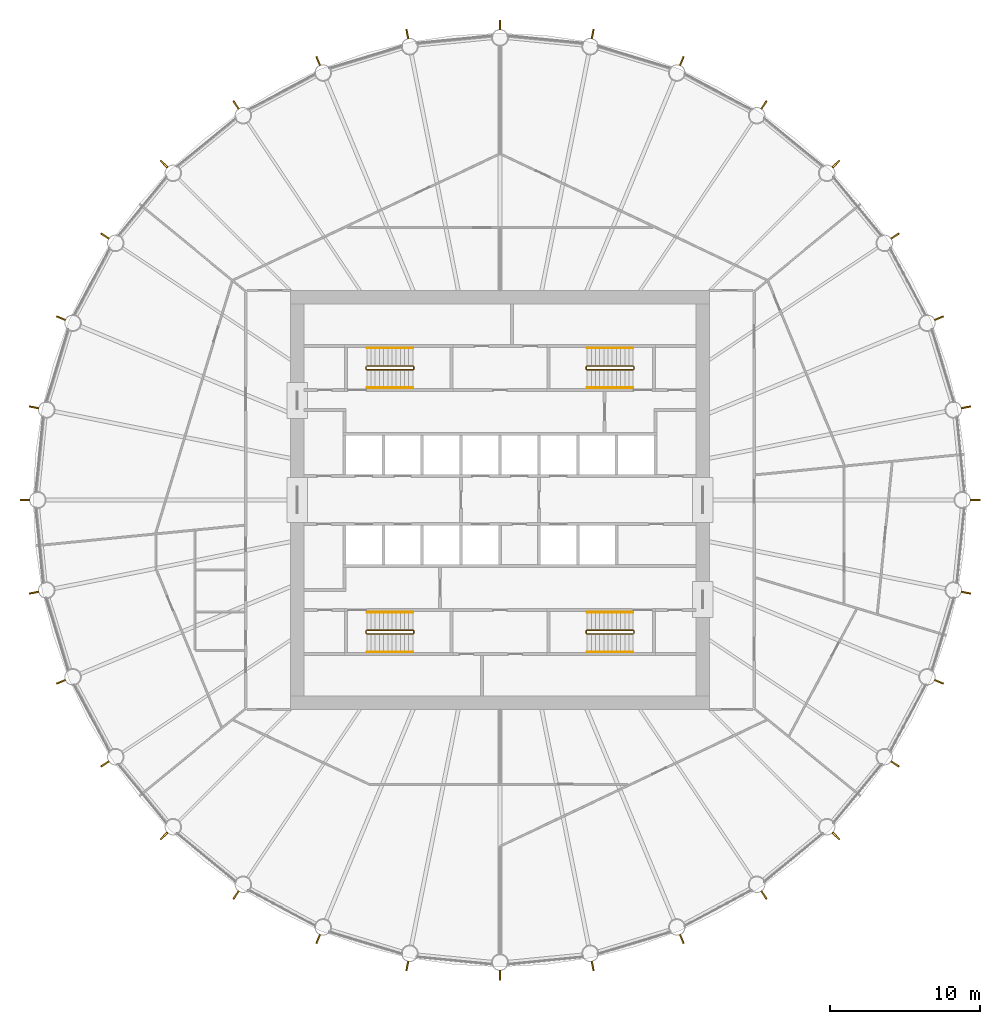
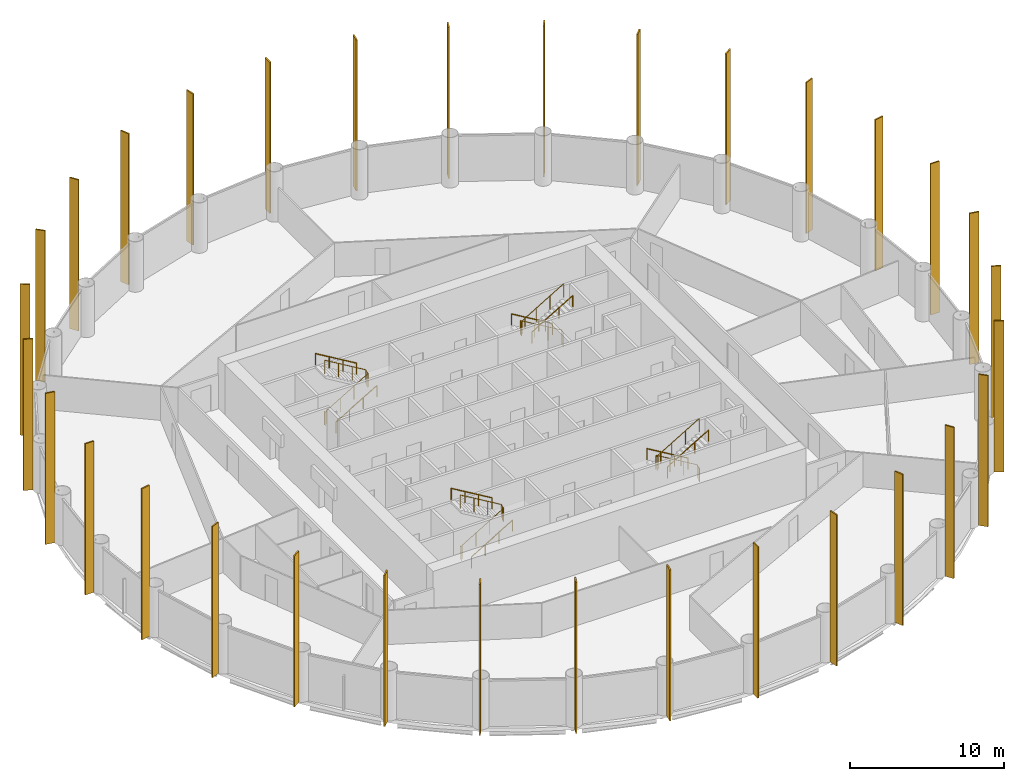
# One storey, part 8 of 8: 32 shading devices, 12 railings.
"""IFC4 building model written with IfcOpenShell, lengths in metres."""

from ifc_helpers import new_model, si_unit, direction, frame, origin, origin_2d, place, context, subcontext, project, spatial, rectangle, circle, extrude, material, material_profile, profile_set, type_object, element, save


model = new_model("IFC4")

# Units and contexts
model_context = context("Model", 3, precision=1e-05, world=origin(), true_north=direction((0.0, 1.0)))
body_context = subcontext(model_context, "Body", "Model", "MODEL_VIEW")
ifc_project = project(units=[si_unit("LENGTHUNIT", "METRE"), si_unit("AREAUNIT", "SQUARE_METRE"), si_unit("VOLUMEUNIT", "CUBIC_METRE"), si_unit("PLANEANGLEUNIT", "RADIAN"), si_unit("MASSUNIT", "GRAM", prefix="KILO")], contexts=[model_context])

# Site, building, storey
site_placement = place(None, origin())
site = spatial("IfcSite", under=ifc_project, at=site_placement, CompositionType="ELEMENT")
building_placement = place(site_placement, origin())
building = spatial("IfcBuilding", under=site, at=building_placement, Name="Corvane Civic Tower", CompositionType="ELEMENT")
storey_placement = place(building_placement, frame((0.0, 0.0, 176.0)))
storey = spatial("IfcBuildingStorey", under=building, at=storey_placement, Name="L41", CompositionType="ELEMENT", Elevation=176.0)

# Railings
ifc_material_1 = material(Name="Steel ASTM A572 Gr 50", Category="steel")
railing_type_1 = type_object("IfcRailingType", Name="ST-GUARD-1100", PredefinedType="GUARDRAIL", material=ifc_material_1)
railing_1_placement = place(storey_placement, frame((8.949951171875, 8.75, 0.0)))
element("IfcRailing", 1, at=railing_1_placement, inside=storey, type_object=railing_type_1, Name="L41 ST1 stair guard 1", PredefinedType="GUARDRAIL", context=body_context, shape_type="SweptSolid", body=[
    extrude(circle(Radius=0.02392578125, at=origin_2d()), frame((0.0, 0.0, 1.076171875), z_axis=(0.0, 1.0, 0.0), x_axis=(-1.0, 0.0, 0.0)), (0.0, 0.0, 1.0), 0.14990234375),
    extrude(circle(Radius=0.02392578125, at=origin_2d()), frame((0.0, 0.14990234375, 1.076171875), z_axis=(-0.27628659633, 0.27628659633, 0.920506074601), x_axis=(-0.707106781187, -0.707106781187, 0.0)), (0.0, 0.0, 1.0), 0.18115234375),
    extrude(circle(Radius=0.02392578125, at=origin_2d()), frame((-0.050048828125, 0.199951171875, 1.24267578125), z_axis=(-0.859290745958, 0.0, 0.51148745235), x_axis=(0.0, -1.0, 0.0)), (0.0, 0.0, 1.0), 3.584228515625),
    extrude(circle(Radius=0.02392578125, at=origin_2d()), frame((-3.1298828125, 0.199951171875, 3.076171875), z_axis=(-0.707106781187, -0.707106781187, 0.0), x_axis=(0.707106781187, -0.707106781187, 0.0)), (0.0, 0.0, 1.0), 0.07080078125),
    extrude(circle(Radius=0.02392578125, at=origin_2d()), frame((-3.179931640625, 0.14990234375, 3.076171875), z_axis=(0.0, -1.0, 0.0), x_axis=(1.0, 0.0, 0.0)), (0.0, 0.0, 1.0), 0.14990234375),
    extrude(circle(Radius=0.02392578125, at=origin_2d()), frame((-3.179931640625, 0.0, 3.076171875), z_axis=(0.27628659633, -0.27628659633, 0.920506074601), x_axis=(0.707106781187, 0.707106781187, 0.0)), (0.0, 0.0, 1.0), 0.18115234375),
    extrude(circle(Radius=0.02392578125, at=origin_2d()), frame((-3.1298828125, -0.050048828125, 3.24267578125), z_axis=(0.859290745958, 0.0, 0.51148745235), x_axis=(0.0, 1.0, 0.0)), (0.0, 0.0, 1.0), 3.584228515625),
    extrude(circle(Radius=0.02099609375, at=origin_2d()), origin(), (0.0, 0.0, 1.0), 1.052001953125),
    extrude(circle(Radius=0.02099609375, at=origin_2d()), frame((0.0, 0.14990234375, 0.0)), (0.0, 0.0, 1.0), 1.052001953125),
    extrude(circle(Radius=0.02099609375, at=origin_2d()), frame((-0.050048828125, 0.199951171875, 0.166748046875)), (0.0, 0.0, 1.0), 1.052001953125),
    extrude(circle(Radius=0.02099609375, at=origin_2d()), frame((-1.07666015625, 0.199951171875, 0.77783203125)), (0.0, 0.0, 1.0), 1.052001953125),
    extrude(circle(Radius=0.02099609375, at=origin_2d()), frame((-2.103271484375, 0.199951171875, 1.388916015625)), (0.0, 0.0, 1.0), 1.052001953125),
    extrude(circle(Radius=0.02099609375, at=origin_2d()), frame((-3.1298828125, 0.199951171875, 2.0)), (0.0, 0.0, 1.0), 1.052001953125),
    extrude(circle(Radius=0.02099609375, at=origin_2d()), frame((-3.179931640625, 0.14990234375, 2.0)), (0.0, 0.0, 1.0), 1.052001953125),
    extrude(circle(Radius=0.02099609375, at=origin_2d()), frame((-3.179931640625, 0.0, 2.0)), (0.0, 0.0, 1.0), 1.052001953125),
    extrude(circle(Radius=0.02099609375, at=origin_2d()), frame((-3.1298828125, -0.050048828125, 2.166748046875)), (0.0, 0.0, 1.0), 1.052001953125),
    extrude(circle(Radius=0.02099609375, at=origin_2d()), frame((-2.103271484375, -0.050048828125, 2.77783203125)), (0.0, 0.0, 1.0), 1.052001953125),
    extrude(circle(Radius=0.02099609375, at=origin_2d()), frame((-1.07666015625, -0.050048828125, 3.388916015625)), (0.0, 0.0, 1.0), 1.052001953125),
    extrude(circle(Radius=0.02099609375, at=origin_2d()), frame((-0.050048828125, -0.050048828125, 4.0)), (0.0, 0.0, 1.0), 1.052001953125),
])
railing_2_placement = place(storey_placement, frame((8.949951171875, -8.89990234375, 0.0)))
element("IfcRailing", 2, at=railing_2_placement, inside=storey, type_object=railing_type_1, Name="L41 ST2 stair guard 1", PredefinedType="GUARDRAIL", context=body_context, shape_type="SweptSolid", body=[
    extrude(circle(Radius=0.02392578125, at=origin_2d()), frame((0.0, 0.0, 1.076171875), z_axis=(0.0, 1.0, 0.0), x_axis=(-1.0, 0.0, 0.0)), (0.0, 0.0, 1.0), 0.14990234375),
    extrude(circle(Radius=0.02392578125, at=origin_2d()), frame((0.0, 0.14990234375, 1.076171875), z_axis=(-0.27628659633, 0.27628659633, 0.920506074601), x_axis=(-0.707106781187, -0.707106781187, 0.0)), (0.0, 0.0, 1.0), 0.18115234375),
    extrude(circle(Radius=0.02392578125, at=origin_2d()), frame((-0.050048828125, 0.199951171875, 1.24267578125), z_axis=(-0.859290745958, 0.0, 0.51148745235), x_axis=(0.0, -1.0, 0.0)), (0.0, 0.0, 1.0), 3.584228515625),
    extrude(circle(Radius=0.02392578125, at=origin_2d()), frame((-3.1298828125, 0.199951171875, 3.076171875), z_axis=(-0.707106781187, -0.707106781187, 0.0), x_axis=(0.707106781187, -0.707106781187, 0.0)), (0.0, 0.0, 1.0), 0.07080078125),
    extrude(circle(Radius=0.02392578125, at=origin_2d()), frame((-3.179931640625, 0.14990234375, 3.076171875), z_axis=(0.0, -1.0, 0.0), x_axis=(1.0, 0.0, 0.0)), (0.0, 0.0, 1.0), 0.14990234375),
    extrude(circle(Radius=0.02392578125, at=origin_2d()), frame((-3.179931640625, 0.0, 3.076171875), z_axis=(0.27628659633, -0.27628659633, 0.920506074601), x_axis=(0.707106781187, 0.707106781187, 0.0)), (0.0, 0.0, 1.0), 0.18115234375),
    extrude(circle(Radius=0.02392578125, at=origin_2d()), frame((-3.1298828125, -0.050048828125, 3.24267578125), z_axis=(0.859290745958, 0.0, 0.51148745235), x_axis=(0.0, 1.0, 0.0)), (0.0, 0.0, 1.0), 3.584228515625),
    extrude(circle(Radius=0.02099609375, at=origin_2d()), origin(), (0.0, 0.0, 1.0), 1.052001953125),
    extrude(circle(Radius=0.02099609375, at=origin_2d()), frame((0.0, 0.14990234375, 0.0)), (0.0, 0.0, 1.0), 1.052001953125),
    extrude(circle(Radius=0.02099609375, at=origin_2d()), frame((-0.050048828125, 0.199951171875, 0.166748046875)), (0.0, 0.0, 1.0), 1.052001953125),
    extrude(circle(Radius=0.02099609375, at=origin_2d()), frame((-1.07666015625, 0.199951171875, 0.77783203125)), (0.0, 0.0, 1.0), 1.052001953125),
    extrude(circle(Radius=0.02099609375, at=origin_2d()), frame((-2.103271484375, 0.199951171875, 1.388916015625)), (0.0, 0.0, 1.0), 1.052001953125),
    extrude(circle(Radius=0.02099609375, at=origin_2d()), frame((-3.1298828125, 0.199951171875, 2.0)), (0.0, 0.0, 1.0), 1.052001953125),
    extrude(circle(Radius=0.02099609375, at=origin_2d()), frame((-3.179931640625, 0.14990234375, 2.0)), (0.0, 0.0, 1.0), 1.052001953125),
    extrude(circle(Radius=0.02099609375, at=origin_2d()), frame((-3.179931640625, 0.0, 2.0)), (0.0, 0.0, 1.0), 1.052001953125),
    extrude(circle(Radius=0.02099609375, at=origin_2d()), frame((-3.1298828125, -0.050048828125, 2.166748046875)), (0.0, 0.0, 1.0), 1.052001953125),
    extrude(circle(Radius=0.02099609375, at=origin_2d()), frame((-2.103271484375, -0.050048828125, 2.77783203125)), (0.0, 0.0, 1.0), 1.052001953125),
    extrude(circle(Radius=0.02099609375, at=origin_2d()), frame((-1.07666015625, -0.050048828125, 3.388916015625)), (0.0, 0.0, 1.0), 1.052001953125),
    extrude(circle(Radius=0.02099609375, at=origin_2d()), frame((-0.050048828125, -0.050048828125, 4.0)), (0.0, 0.0, 1.0), 1.052001953125),
])
railing_3_placement = place(storey_placement, frame((-8.949951171875, -8.75, 0.0)))
element("IfcRailing", 3, at=railing_3_placement, inside=storey, type_object=railing_type_1, Name="L41 ST3 stair guard 1", PredefinedType="GUARDRAIL", context=body_context, shape_type="SweptSolid", body=[
    extrude(circle(Radius=0.02392578125, at=origin_2d()), frame((0.0, 0.0, 1.076171875), z_axis=(0.0, -1.0, 0.0), x_axis=(1.0, 0.0, 0.0)), (0.0, 0.0, 1.0), 0.14990234375),
    extrude(circle(Radius=0.02392578125, at=origin_2d()), frame((0.0, -0.14990234375, 1.076171875), z_axis=(0.27628659633, -0.27628659633, 0.920506074601), x_axis=(0.707106781187, 0.707106781187, 0.0)), (0.0, 0.0, 1.0), 0.18115234375),
    extrude(circle(Radius=0.02392578125, at=origin_2d()), frame((0.050048828125, -0.199951171875, 1.24267578125), z_axis=(0.859290745958, 0.0, 0.51148745235), x_axis=(0.0, 1.0, 0.0)), (0.0, 0.0, 1.0), 3.584228515625),
    extrude(circle(Radius=0.02392578125, at=origin_2d()), frame((3.1298828125, -0.199951171875, 3.076171875), z_axis=(0.707106781187, 0.707106781187, 0.0), x_axis=(-0.707106781187, 0.707106781187, 0.0)), (0.0, 0.0, 1.0), 0.07080078125),
    extrude(circle(Radius=0.02392578125, at=origin_2d()), frame((3.179931640625, -0.14990234375, 3.076171875), z_axis=(0.0, 1.0, 0.0), x_axis=(-1.0, 0.0, 0.0)), (0.0, 0.0, 1.0), 0.14990234375),
    extrude(circle(Radius=0.02392578125, at=origin_2d()), frame((3.179931640625, 0.0, 3.076171875), z_axis=(-0.27628659633, 0.27628659633, 0.920506074601), x_axis=(-0.707106781187, -0.707106781187, 0.0)), (0.0, 0.0, 1.0), 0.18115234375),
    extrude(circle(Radius=0.02392578125, at=origin_2d()), frame((3.1298828125, 0.050048828125, 3.24267578125), z_axis=(-0.859290745958, 0.0, 0.51148745235), x_axis=(0.0, -1.0, 0.0)), (0.0, 0.0, 1.0), 3.584228515625),
    extrude(circle(Radius=0.02099609375, at=origin_2d()), origin(), (0.0, 0.0, 1.0), 1.052001953125),
    extrude(circle(Radius=0.02099609375, at=origin_2d()), frame((0.0, -0.14990234375, 0.0)), (0.0, 0.0, 1.0), 1.052001953125),
    extrude(circle(Radius=0.02099609375, at=origin_2d()), frame((0.050048828125, -0.199951171875, 0.166748046875)), (0.0, 0.0, 1.0), 1.052001953125),
    extrude(circle(Radius=0.02099609375, at=origin_2d()), frame((1.07666015625, -0.199951171875, 0.77783203125)), (0.0, 0.0, 1.0), 1.052001953125),
    extrude(circle(Radius=0.02099609375, at=origin_2d()), frame((2.103271484375, -0.199951171875, 1.388916015625)), (0.0, 0.0, 1.0), 1.052001953125),
    extrude(circle(Radius=0.02099609375, at=origin_2d()), frame((3.1298828125, -0.199951171875, 2.0)), (0.0, 0.0, 1.0), 1.052001953125),
    extrude(circle(Radius=0.02099609375, at=origin_2d()), frame((3.179931640625, -0.14990234375, 2.0)), (0.0, 0.0, 1.0), 1.052001953125),
    extrude(circle(Radius=0.02099609375, at=origin_2d()), frame((3.179931640625, 0.0, 2.0)), (0.0, 0.0, 1.0), 1.052001953125),
    extrude(circle(Radius=0.02099609375, at=origin_2d()), frame((3.1298828125, 0.050048828125, 2.166748046875)), (0.0, 0.0, 1.0), 1.052001953125),
    extrude(circle(Radius=0.02099609375, at=origin_2d()), frame((2.103271484375, 0.050048828125, 2.77783203125)), (0.0, 0.0, 1.0), 1.052001953125),
    extrude(circle(Radius=0.02099609375, at=origin_2d()), frame((1.07666015625, 0.050048828125, 3.388916015625)), (0.0, 0.0, 1.0), 1.052001953125),
    extrude(circle(Radius=0.02099609375, at=origin_2d()), frame((0.050048828125, 0.050048828125, 4.0)), (0.0, 0.0, 1.0), 1.052001953125),
])
railing_4_placement = place(storey_placement, frame((-8.949951171875, 8.89990234375, 0.0)))
element("IfcRailing", 4, at=railing_4_placement, inside=storey, type_object=railing_type_1, Name="L41 ST4 stair guard 1", PredefinedType="GUARDRAIL", context=body_context, shape_type="SweptSolid", body=[
    extrude(circle(Radius=0.02392578125, at=origin_2d()), frame((0.0, 0.0, 1.076171875), z_axis=(0.0, -1.0, 0.0), x_axis=(1.0, 0.0, 0.0)), (0.0, 0.0, 1.0), 0.14990234375),
    extrude(circle(Radius=0.02392578125, at=origin_2d()), frame((0.0, -0.14990234375, 1.076171875), z_axis=(0.27628659633, -0.27628659633, 0.920506074601), x_axis=(0.707106781187, 0.707106781187, 0.0)), (0.0, 0.0, 1.0), 0.18115234375),
    extrude(circle(Radius=0.02392578125, at=origin_2d()), frame((0.050048828125, -0.199951171875, 1.24267578125), z_axis=(0.859290745958, 0.0, 0.51148745235), x_axis=(0.0, 1.0, 0.0)), (0.0, 0.0, 1.0), 3.584228515625),
    extrude(circle(Radius=0.02392578125, at=origin_2d()), frame((3.1298828125, -0.199951171875, 3.076171875), z_axis=(0.707106781187, 0.707106781187, 0.0), x_axis=(-0.707106781187, 0.707106781187, 0.0)), (0.0, 0.0, 1.0), 0.07080078125),
    extrude(circle(Radius=0.02392578125, at=origin_2d()), frame((3.179931640625, -0.14990234375, 3.076171875), z_axis=(0.0, 1.0, 0.0), x_axis=(-1.0, 0.0, 0.0)), (0.0, 0.0, 1.0), 0.14990234375),
    extrude(circle(Radius=0.02392578125, at=origin_2d()), frame((3.179931640625, 0.0, 3.076171875), z_axis=(-0.27628659633, 0.27628659633, 0.920506074601), x_axis=(-0.707106781187, -0.707106781187, 0.0)), (0.0, 0.0, 1.0), 0.18115234375),
    extrude(circle(Radius=0.02392578125, at=origin_2d()), frame((3.1298828125, 0.050048828125, 3.24267578125), z_axis=(-0.859290745958, 0.0, 0.51148745235), x_axis=(0.0, -1.0, 0.0)), (0.0, 0.0, 1.0), 3.584228515625),
    extrude(circle(Radius=0.02099609375, at=origin_2d()), origin(), (0.0, 0.0, 1.0), 1.052001953125),
    extrude(circle(Radius=0.02099609375, at=origin_2d()), frame((0.0, -0.14990234375, 0.0)), (0.0, 0.0, 1.0), 1.052001953125),
    extrude(circle(Radius=0.02099609375, at=origin_2d()), frame((0.050048828125, -0.199951171875, 0.166748046875)), (0.0, 0.0, 1.0), 1.052001953125),
    extrude(circle(Radius=0.02099609375, at=origin_2d()), frame((1.07666015625, -0.199951171875, 0.77783203125)), (0.0, 0.0, 1.0), 1.052001953125),
    extrude(circle(Radius=0.02099609375, at=origin_2d()), frame((2.103271484375, -0.199951171875, 1.388916015625)), (0.0, 0.0, 1.0), 1.052001953125),
    extrude(circle(Radius=0.02099609375, at=origin_2d()), frame((3.1298828125, -0.199951171875, 2.0)), (0.0, 0.0, 1.0), 1.052001953125),
    extrude(circle(Radius=0.02099609375, at=origin_2d()), frame((3.179931640625, -0.14990234375, 2.0)), (0.0, 0.0, 1.0), 1.052001953125),
    extrude(circle(Radius=0.02099609375, at=origin_2d()), frame((3.179931640625, 0.0, 2.0)), (0.0, 0.0, 1.0), 1.052001953125),
    extrude(circle(Radius=0.02099609375, at=origin_2d()), frame((3.1298828125, 0.050048828125, 2.166748046875)), (0.0, 0.0, 1.0), 1.052001953125),
    extrude(circle(Radius=0.02099609375, at=origin_2d()), frame((2.103271484375, 0.050048828125, 2.77783203125)), (0.0, 0.0, 1.0), 1.052001953125),
    extrude(circle(Radius=0.02099609375, at=origin_2d()), frame((1.07666015625, 0.050048828125, 3.388916015625)), (0.0, 0.0, 1.0), 1.052001953125),
    extrude(circle(Radius=0.02099609375, at=origin_2d()), frame((0.050048828125, 0.050048828125, 4.0)), (0.0, 0.0, 1.0), 1.052001953125),
])
ifc_material_2 = material(Name="Steel ASTM A572 Gr 50", Category="steel")
railing_type_2 = type_object("IfcRailingType", Name="ST-HANDRAIL-900", PredefinedType="HANDRAIL", material=ifc_material_2)
railing_5_placement = place(storey_placement, frame((8.89990234375, 10.14990234375, 0.166748046875)))
element("IfcRailing", 5, at=railing_5_placement, inside=storey, type_object=railing_type_2, Name="L41 ST1 stair handrail 1", PredefinedType="HANDRAIL", context=body_context, shape_type="SweptSolid", body=[
    extrude(circle(Radius=0.02392578125, at=origin_2d()), frame((0.0, 0.0, 0.8759765625), z_axis=(-0.859290745958, 0.0, 0.51148745235), x_axis=(0.0, -1.0, 0.0)), (0.0, 0.0, 1.0), 3.584228515625),
    extrude(circle(Radius=0.02099609375, at=origin_2d()), origin(), (0.0, 0.0, 1.0), 0.851806640625),
    extrude(circle(Radius=0.02099609375, at=origin_2d()), frame((-1.026611328125, 0.0, 0.611083984375)), (0.0, 0.0, 1.0), 0.851806640625),
    extrude(circle(Radius=0.02099609375, at=origin_2d()), frame((-2.05322265625, 0.0, 1.22216796875)), (0.0, 0.0, 1.0), 0.851806640625),
    extrude(circle(Radius=0.02099609375, at=origin_2d()), frame((-3.079833984375, 0.0, 1.833251953125)), (0.0, 0.0, 1.0), 0.851806640625),
])
railing_6_placement = place(storey_placement, frame((5.820068359375, 7.5, 2.166748046875)))
element("IfcRailing", 6, at=railing_6_placement, inside=storey, type_object=railing_type_2, Name="L41 ST1 stair handrail 2", PredefinedType="HANDRAIL", context=body_context, shape_type="SweptSolid", body=[
    extrude(circle(Radius=0.02392578125, at=origin_2d()), frame((0.0, 0.0, 0.8759765625), z_axis=(0.859290745958, 0.0, 0.51148745235), x_axis=(0.0, 1.0, 0.0)), (0.0, 0.0, 1.0), 3.584228515625),
    extrude(circle(Radius=0.02099609375, at=origin_2d()), origin(), (0.0, 0.0, 1.0), 0.851806640625),
    extrude(circle(Radius=0.02099609375, at=origin_2d()), frame((1.026611328125, 0.0, 0.611083984375)), (0.0, 0.0, 1.0), 0.851806640625),
    extrude(circle(Radius=0.02099609375, at=origin_2d()), frame((2.05322265625, 0.0, 1.22216796875)), (0.0, 0.0, 1.0), 0.851806640625),
    extrude(circle(Radius=0.02099609375, at=origin_2d()), frame((3.079833984375, 0.0, 1.833251953125)), (0.0, 0.0, 1.0), 0.851806640625),
])
railing_7_placement = place(storey_placement, frame((8.89990234375, -7.5, 0.166748046875)))
element("IfcRailing", 7, at=railing_7_placement, inside=storey, type_object=railing_type_2, Name="L41 ST2 stair handrail 1", PredefinedType="HANDRAIL", context=body_context, shape_type="SweptSolid", body=[
    extrude(circle(Radius=0.02392578125, at=origin_2d()), frame((0.0, 0.0, 0.8759765625), z_axis=(-0.859290745958, 0.0, 0.51148745235), x_axis=(0.0, -1.0, 0.0)), (0.0, 0.0, 1.0), 3.584228515625),
    extrude(circle(Radius=0.02099609375, at=origin_2d()), origin(), (0.0, 0.0, 1.0), 0.851806640625),
    extrude(circle(Radius=0.02099609375, at=origin_2d()), frame((-1.026611328125, 0.0, 0.611083984375)), (0.0, 0.0, 1.0), 0.851806640625),
    extrude(circle(Radius=0.02099609375, at=origin_2d()), frame((-2.05322265625, 0.0, 1.22216796875)), (0.0, 0.0, 1.0), 0.851806640625),
    extrude(circle(Radius=0.02099609375, at=origin_2d()), frame((-3.079833984375, 0.0, 1.833251953125)), (0.0, 0.0, 1.0), 0.851806640625),
])
for number, where, name in (
    (8, (5.820068359375, -10.14990234375, 2.166748046875), "L41 ST2 stair handrail 2"),
    (9, (-8.89990234375, -10.14990234375, 0.166748046875), "L41 ST3 stair handrail 1"),
):
    element("IfcRailing", number, at=place(storey_placement, frame(where)), inside=storey, type_object=railing_type_2, Name=name, PredefinedType="HANDRAIL", context=body_context, shape_type="SweptSolid", body=[
        extrude(circle(Radius=0.02392578125, at=origin_2d()), frame((0.0, 0.0, 0.8759765625), z_axis=(0.859290745958, 0.0, 0.51148745235), x_axis=(0.0, 1.0, 0.0)), (0.0, 0.0, 1.0), 3.584228515625),
        extrude(circle(Radius=0.02099609375, at=origin_2d()), origin(), (0.0, 0.0, 1.0), 0.851806640625),
        extrude(circle(Radius=0.02099609375, at=origin_2d()), frame((1.026611328125, 0.0, 0.611083984375)), (0.0, 0.0, 1.0), 0.851806640625),
        extrude(circle(Radius=0.02099609375, at=origin_2d()), frame((2.05322265625, 0.0, 1.22216796875)), (0.0, 0.0, 1.0), 0.851806640625),
        extrude(circle(Radius=0.02099609375, at=origin_2d()), frame((3.079833984375, 0.0, 1.833251953125)), (0.0, 0.0, 1.0), 0.851806640625),
    ])
railing_8_placement = place(storey_placement, frame((-5.820068359375, -7.5, 2.166748046875)))
element("IfcRailing", 10, at=railing_8_placement, inside=storey, type_object=railing_type_2, Name="L41 ST3 stair handrail 2", PredefinedType="HANDRAIL", context=body_context, shape_type="SweptSolid", body=[
    extrude(circle(Radius=0.02392578125, at=origin_2d()), frame((0.0, 0.0, 0.8759765625), z_axis=(-0.859290745958, 0.0, 0.51148745235), x_axis=(0.0, -1.0, 0.0)), (0.0, 0.0, 1.0), 3.584228515625),
    extrude(circle(Radius=0.02099609375, at=origin_2d()), origin(), (0.0, 0.0, 1.0), 0.851806640625),
    extrude(circle(Radius=0.02099609375, at=origin_2d()), frame((-1.026611328125, 0.0, 0.611083984375)), (0.0, 0.0, 1.0), 0.851806640625),
    extrude(circle(Radius=0.02099609375, at=origin_2d()), frame((-2.05322265625, 0.0, 1.22216796875)), (0.0, 0.0, 1.0), 0.851806640625),
    extrude(circle(Radius=0.02099609375, at=origin_2d()), frame((-3.079833984375, 0.0, 1.833251953125)), (0.0, 0.0, 1.0), 0.851806640625),
])
railing_9_placement = place(storey_placement, frame((-8.89990234375, 7.5, 0.166748046875)))
element("IfcRailing", 11, at=railing_9_placement, inside=storey, type_object=railing_type_2, Name="L41 ST4 stair handrail 1", PredefinedType="HANDRAIL", context=body_context, shape_type="SweptSolid", body=[
    extrude(circle(Radius=0.02392578125, at=origin_2d()), frame((0.0, 0.0, 0.8759765625), z_axis=(0.859290745958, 0.0, 0.51148745235), x_axis=(0.0, 1.0, 0.0)), (0.0, 0.0, 1.0), 3.584228515625),
    extrude(circle(Radius=0.02099609375, at=origin_2d()), origin(), (0.0, 0.0, 1.0), 0.851806640625),
    extrude(circle(Radius=0.02099609375, at=origin_2d()), frame((1.026611328125, 0.0, 0.611083984375)), (0.0, 0.0, 1.0), 0.851806640625),
    extrude(circle(Radius=0.02099609375, at=origin_2d()), frame((2.05322265625, 0.0, 1.22216796875)), (0.0, 0.0, 1.0), 0.851806640625),
    extrude(circle(Radius=0.02099609375, at=origin_2d()), frame((3.079833984375, 0.0, 1.833251953125)), (0.0, 0.0, 1.0), 0.851806640625),
])
railing_10_placement = place(storey_placement, frame((-5.820068359375, 10.14990234375, 2.166748046875)))
element("IfcRailing", 12, at=railing_10_placement, inside=storey, type_object=railing_type_2, Name="L41 ST4 stair handrail 2", PredefinedType="HANDRAIL", context=body_context, shape_type="SweptSolid", body=[
    extrude(circle(Radius=0.02392578125, at=origin_2d()), frame((0.0, 0.0, 0.8759765625), z_axis=(-0.859290745958, 0.0, 0.51148745235), x_axis=(0.0, -1.0, 0.0)), (0.0, 0.0, 1.0), 3.584228515625),
    extrude(circle(Radius=0.02099609375, at=origin_2d()), origin(), (0.0, 0.0, 1.0), 0.851806640625),
    extrude(circle(Radius=0.02099609375, at=origin_2d()), frame((-1.026611328125, 0.0, 0.611083984375)), (0.0, 0.0, 1.0), 0.851806640625),
    extrude(circle(Radius=0.02099609375, at=origin_2d()), frame((-2.05322265625, 0.0, 1.22216796875)), (0.0, 0.0, 1.0), 0.851806640625),
    extrude(circle(Radius=0.02099609375, at=origin_2d()), frame((-3.079833984375, 0.0, 1.833251953125)), (0.0, 0.0, 1.0), 0.851806640625),
])

# Shading devices
ifc_material_3 = material(Name="Anodised aluminium bronze", Category="aluminium")
ifc_material_profile = material_profile(ifc_material_3, rectangle(XDim=0.10009765625, YDim=0.64990234375, at=origin_2d()), Name="TOWER FIN STACK 100x650 BRONZE")
ifc_profile_set = profile_set([ifc_material_profile], Name="Anodised aluminium bronze")
shading_device_type = type_object("IfcShadingDeviceType", Name="TOWER FIN STACK 100x650 BRONZE", PredefinedType="USERDEFINED", material=ifc_profile_set)
for number, where, z_axis, x_axis, name in (
    (13, (0.0, 31.7548828125, 0.0), (0.0, 0.0, 1.0), (1.0, 0.0, 0.0), "Fin 01 L41 to L43"),
    (14, (6.195068359375, 31.144775390625, 0.0), (0.0, 0.0, 1.0), (0.980785280403, -0.195090322016, 0.0), "Fin 02 L41 to L43"),
    (15, (12.152099609375, 29.337890625, 0.0), (0.0, 0.0, 1.0), (0.923879532511, -0.382683432365, 0.0), "Fin 03 L41 to L43"),
    (16, (17.64208984375, 26.4033203125, 0.0), (0.0, 0.0, 1.0), (0.831469612303, -0.55557023302, 0.0), "Fin 04 L41 to L43"),
    (17, (22.4541015625, 22.4541015625, 0.0), (0.0, 0.0, 1.0), (0.707106781187, -0.707106781187, 0.0), "Fin 05 L41 to L43"),
    (18, (26.4033203125, 17.64208984375, 0.0), (0.0, 0.0, 1.0), (0.55557023302, -0.831469612303, 0.0), "Fin 06 L41 to L43"),
    (19, (29.337890625, 12.152099609375, 0.0), (0.0, 0.0, 1.0), (0.382683432365, -0.923879532511, 0.0), "Fin 07 L41 to L43"),
    (20, (31.144775390625, 6.195068359375, 0.0), (0.0, 0.0, 1.0), (0.195090322016, -0.980785280403, 0.0), "Fin 08 L41 to L43"),
    (21, (31.7548828125, 0.0, 0.0), (0.0, 0.0, 1.0), (0.0, -1.0, 0.0), "Fin 09 L41 to L43"),
    (22, (31.144775390625, -6.195068359375, 0.0), (0.0, 0.0, 1.0), (-0.195090322016, -0.980785280403, 0.0), "Fin 10 L41 to L43"),
    (23, (29.337890625, -12.152099609375, 0.0), (0.0, 0.0, 1.0), (-0.382683432365, -0.923879532511, 0.0), "Fin 11 L41 to L43"),
    (24, (26.4033203125, -17.64208984375, 0.0), (0.0, 0.0, 1.0), (-0.55557023302, -0.831469612303, 0.0), "Fin 12 L41 to L43"),
    (25, (22.4541015625, -22.4541015625, 0.0), (0.0, 0.0, 1.0), (-0.707106781187, -0.707106781187, 0.0), "Fin 13 L41 to L43"),
    (26, (17.64208984375, -26.4033203125, 0.0), (0.0, 0.0, 1.0), (-0.831469612303, -0.55557023302, 0.0), "Fin 14 L41 to L43"),
    (27, (12.152099609375, -29.337890625, 0.0), (0.0, 0.0, 1.0), (-0.923879532511, -0.382683432365, 0.0), "Fin 15 L41 to L43"),
    (28, (6.195068359375, -31.144775390625, 0.0), (0.0, 0.0, 1.0), (-0.980785280403, -0.195090322016, 0.0), "Fin 16 L41 to L43"),
    (29, (0.0, -31.7548828125, 0.0), (0.0, 0.0, 1.0), (-1.0, 0.0, 0.0), "Fin 17 L41 to L43"),
    (30, (-6.195068359375, -31.144775390625, 0.0), (0.0, 0.0, 1.0), (-0.980785280403, 0.195090322016, 0.0), "Fin 18 L41 to L43"),
    (31, (-12.152099609375, -29.337890625, 0.0), (0.0, 0.0, 1.0), (-0.923879532511, 0.382683432365, 0.0), "Fin 19 L41 to L43"),
    (32, (-17.64208984375, -26.4033203125, 0.0), (0.0, 0.0, 1.0), (-0.831469612303, 0.55557023302, 0.0), "Fin 20 L41 to L43"),
    (33, (-22.4541015625, -22.4541015625, 0.0), (0.0, 0.0, 1.0), (-0.707106781187, 0.707106781187, 0.0), "Fin 21 L41 to L43"),
    (34, (-26.4033203125, -17.64208984375, 0.0), (0.0, 0.0, 1.0), (-0.55557023302, 0.831469612303, 0.0), "Fin 22 L41 to L43"),
    (35, (-29.337890625, -12.152099609375, 0.0), (0.0, 0.0, 1.0), (-0.382683432365, 0.923879532511, 0.0), "Fin 23 L41 to L43"),
    (36, (-31.144775390625, -6.195068359375, 0.0), (0.0, 0.0, 1.0), (-0.195090322016, 0.980785280403, 0.0), "Fin 24 L41 to L43"),
    (37, (-31.7548828125, 0.0, 0.0), (0.0, 0.0, 1.0), (0.0, 1.0, 0.0), "Fin 25 L41 to L43"),
    (38, (-31.144775390625, 6.195068359375, 0.0), (0.0, 0.0, 1.0), (0.195090322016, 0.980785280403, 0.0), "Fin 26 L41 to L43"),
    (39, (-29.337890625, 12.152099609375, 0.0), (0.0, 0.0, 1.0), (0.382683432365, 0.923879532511, 0.0), "Fin 27 L41 to L43"),
    (40, (-26.4033203125, 17.64208984375, 0.0), (0.0, 0.0, 1.0), (0.55557023302, 0.831469612303, 0.0), "Fin 28 L41 to L43"),
    (41, (-22.4541015625, 22.4541015625, 0.0), (0.0, 0.0, 1.0), (0.707106781187, 0.707106781187, 0.0), "Fin 29 L41 to L43"),
    (42, (-17.64208984375, 26.4033203125, 0.0), (0.0, 0.0, 1.0), (0.831469612303, 0.55557023302, 0.0), "Fin 30 L41 to L43"),
    (43, (-12.152099609375, 29.337890625, 0.0), (0.0, 0.0, 1.0), (0.923879532511, 0.382683432365, 0.0), "Fin 31 L41 to L43"),
    (44, (-6.195068359375, 31.144775390625, 0.0), (0.0, 0.0, 1.0), (0.980785280403, 0.195090322016, 0.0), "Fin 32 L41 to L43"),
):
    element("IfcShadingDevice", number, at=place(storey_placement, frame(where, z_axis=z_axis, x_axis=x_axis)), inside=storey, type_object=shading_device_type, Name=name, ObjectType="FIN", PredefinedType="USERDEFINED", context=body_context, shape_type="SweptSolid", body=[
        extrude(rectangle(XDim=0.10009765625, YDim=0.64990234375, at=origin_2d()), origin(), (0.0, 0.0, 1.0), 12.0),
    ])

save(model, "model.ifc")
